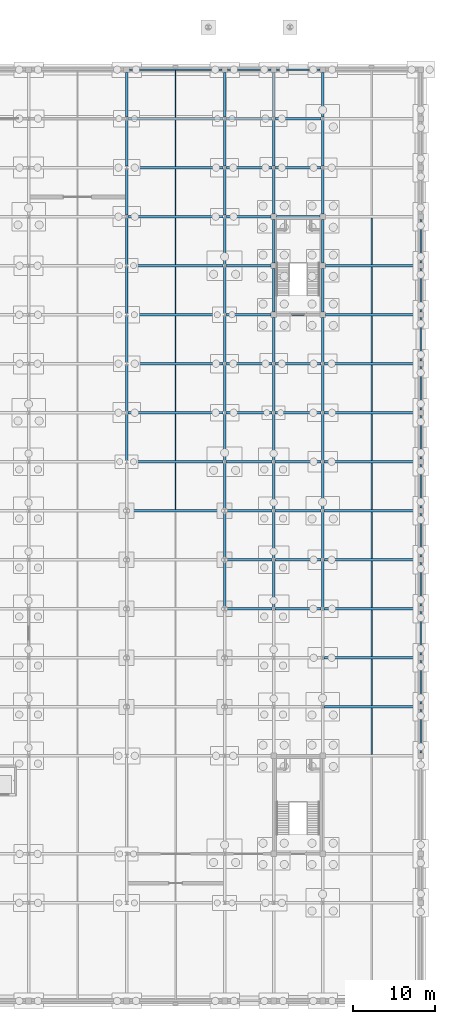
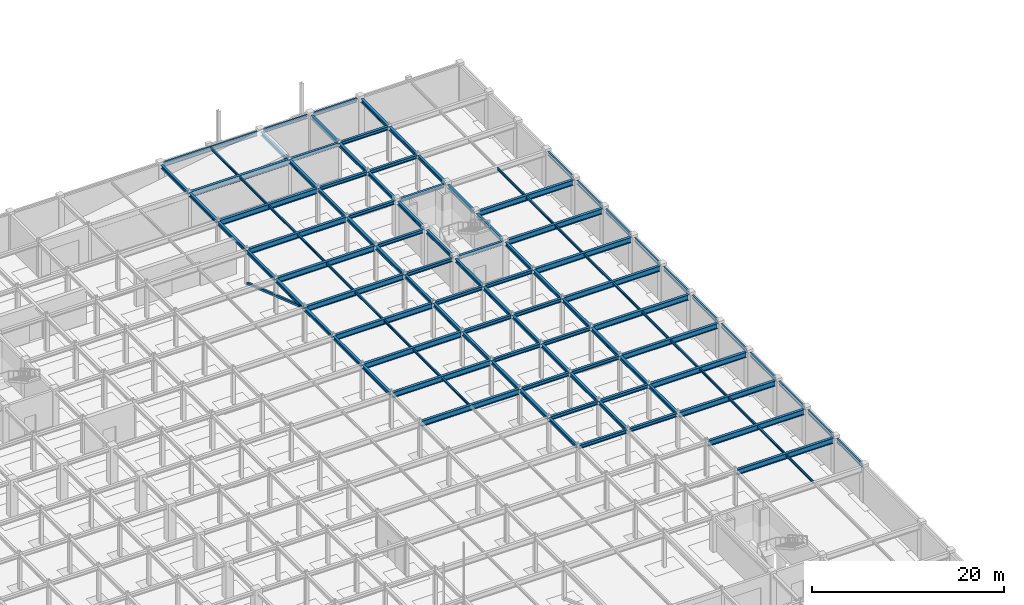
# One storey, part 41 of 69: 115 beams, 1 member.
"""IFC4 building model written with IfcOpenShell, lengths in metres."""

from ifc_helpers import new_model, si_unit, direction, frame, origin, origin_2d, place, context, subcontext, project, spatial, hollow_rectangle, i_section, extrude, material, material_profile, profile_set, type_object, element, save


model = new_model("IFC4")

# Units and contexts
model_context = context("Model", 3, precision=1e-05, world=origin(), true_north=direction((0.0, 1.0)))
body_context = subcontext(model_context, "Body", "Model", "MODEL_VIEW")
ifc_project = project(units=[si_unit("LENGTHUNIT", "METRE"), si_unit("AREAUNIT", "SQUARE_METRE"), si_unit("VOLUMEUNIT", "CUBIC_METRE"), si_unit("PLANEANGLEUNIT", "RADIAN"), si_unit("MASSUNIT", "GRAM", prefix="KILO")], contexts=[model_context])

# Site, building, storey
site_placement = place(None, origin())
site = spatial("IfcSite", under=ifc_project, at=site_placement, CompositionType="ELEMENT")
building_placement = place(site_placement, origin())
building = spatial("IfcBuilding", under=site, at=building_placement, Name="Zlatovratsky Civic Hall", CompositionType="ELEMENT")
storey_placement = place(building_placement, frame((0.0, 0.0, -4.800048828125)))
storey = spatial("IfcBuildingStorey", under=building, at=storey_placement, Name="B1", CompositionType="ELEMENT", Elevation=-4.800048828125)

# Beams
ifc_material = material(Name="Steel S355", Category="steel")
ifc_material_profile_1 = material_profile(ifc_material, i_section(OverallWidth=0.320068359375, OverallDepth=0.68310546875, WebThickness=0.012939453125, FlangeThickness=0.01904296875, FilletRadius=0.02587890625, at=origin_2d()), Name="70Sh1")
ifc_profile_set_1 = profile_set([ifc_material_profile_1], Name="Steel S355")
beam_type_1 = type_object("IfcBeamType", Name="Beam_HallGirder_70Sh1", PredefinedType="BEAM", material=ifc_profile_set_1)
for number, where, z_axis, x_axis, name in (
    (1, (156.175048828125, 36.0, 4.138427734375), (1.0, 0.0, 0.0), (0.0, 1.0, 0.0), "BM-0100"),
    (2, (156.175048828125, 42.0, 4.138427734375), (1.0, 0.0, 0.0), (0.0, 1.0, 0.0), "BM-0122"),
    (3, (156.175048828125, 48.0, 4.138427734375), (1.0, 0.0, 0.0), (0.0, 1.0, 0.0), "BM-0144"),
    (4, (156.175048828125, 54.0, 4.138427734375), (1.0, 0.0, 0.0), (0.0, 1.0, 0.0), "BM-0166"),
):
    element("IfcBeam", number, at=place(storey_placement, frame(where, z_axis=z_axis, x_axis=x_axis)), inside=storey, type_object=beam_type_1, Name=name, PredefinedType="BEAM", context=body_context, shape_type="SweptSolid", body=[
        extrude(i_section(OverallWidth=0.320068359375, OverallDepth=0.68310546875, WebThickness=0.012939453125, FlangeThickness=0.01904296875, FilletRadius=0.02587890625, at=origin_2d()), origin(), (0.0, 0.0, 1.0), 11.474853515625),
    ])
beam_1_placement = place(storey_placement, frame((132.175048828125, 60.0, 4.138427734375), z_axis=(1.0, 0.0, 0.0), x_axis=(0.0, 1.0, 0.0)))
element("IfcBeam", 5, at=beam_1_placement, inside=storey, type_object=beam_type_1, Name="BM-0185", PredefinedType="BEAM", context=body_context, shape_type="SweptSolid", body=[
    extrude(i_section(OverallWidth=0.320068359375, OverallDepth=0.68310546875, WebThickness=0.012939453125, FlangeThickness=0.01904296875, FilletRadius=0.02587890625, at=origin_2d()), origin(), (0.0, 0.0, 1.0), 11.64990234375),
])
beam_2_placement = place(storey_placement, frame((156.175048828125, 60.0, 4.138427734375), z_axis=(1.0, 0.0, 0.0), x_axis=(0.0, 1.0, 0.0)))
element("IfcBeam", 6, at=beam_2_placement, inside=storey, type_object=beam_type_1, Name="BM-0188", PredefinedType="BEAM", context=body_context, shape_type="SweptSolid", body=[
    extrude(i_section(OverallWidth=0.320068359375, OverallDepth=0.68310546875, WebThickness=0.012939453125, FlangeThickness=0.01904296875, FilletRadius=0.02587890625, at=origin_2d()), origin(), (0.0, 0.0, 1.0), 11.474853515625),
])
beam_3_placement = place(storey_placement, frame((132.175048828125, 66.0, 4.138427734375), z_axis=(1.0, 0.0, 0.0), x_axis=(0.0, 1.0, 0.0)))
element("IfcBeam", 7, at=beam_3_placement, inside=storey, type_object=beam_type_1, Name="BM-0207", PredefinedType="BEAM", context=body_context, shape_type="SweptSolid", body=[
    extrude(i_section(OverallWidth=0.320068359375, OverallDepth=0.68310546875, WebThickness=0.012939453125, FlangeThickness=0.01904296875, FilletRadius=0.02587890625, at=origin_2d()), origin(), (0.0, 0.0, 1.0), 11.64990234375),
])
beam_4_placement = place(storey_placement, frame((156.175048828125, 66.0, 4.138427734375), z_axis=(1.0, 0.0, 0.0), x_axis=(0.0, 1.0, 0.0)))
element("IfcBeam", 8, at=beam_4_placement, inside=storey, type_object=beam_type_1, Name="BM-0210", PredefinedType="BEAM", context=body_context, shape_type="SweptSolid", body=[
    extrude(i_section(OverallWidth=0.320068359375, OverallDepth=0.68310546875, WebThickness=0.012939453125, FlangeThickness=0.01904296875, FilletRadius=0.02587890625, at=origin_2d()), origin(), (0.0, 0.0, 1.0), 11.474853515625),
])
beam_5_placement = place(storey_placement, frame((132.175048828125, 72.0, 4.138427734375), z_axis=(1.0, 0.0, 0.0), x_axis=(0.0, 1.0, 0.0)))
element("IfcBeam", 9, at=beam_5_placement, inside=storey, type_object=beam_type_1, Name="BM-0229", PredefinedType="BEAM", context=body_context, shape_type="SweptSolid", body=[
    extrude(i_section(OverallWidth=0.320068359375, OverallDepth=0.68310546875, WebThickness=0.012939453125, FlangeThickness=0.01904296875, FilletRadius=0.02587890625, at=origin_2d()), origin(), (0.0, 0.0, 1.0), 11.64990234375),
])
beam_6_placement = place(storey_placement, frame((156.175048828125, 72.0, 4.138427734375), z_axis=(1.0, 0.0, 0.0), x_axis=(0.0, 1.0, 0.0)))
element("IfcBeam", 10, at=beam_6_placement, inside=storey, type_object=beam_type_1, Name="BM-0232", PredefinedType="BEAM", context=body_context, shape_type="SweptSolid", body=[
    extrude(i_section(OverallWidth=0.320068359375, OverallDepth=0.68310546875, WebThickness=0.012939453125, FlangeThickness=0.01904296875, FilletRadius=0.02587890625, at=origin_2d()), origin(), (0.0, 0.0, 1.0), 11.474853515625),
])
beam_7_placement = place(storey_placement, frame((132.175048828125, 78.0, 4.138427734375), z_axis=(1.0, 0.0, 0.0), x_axis=(0.0, 1.0, 0.0)))
element("IfcBeam", 11, at=beam_7_placement, inside=storey, type_object=beam_type_1, Name="BM-0251", PredefinedType="BEAM", context=body_context, shape_type="SweptSolid", body=[
    extrude(i_section(OverallWidth=0.320068359375, OverallDepth=0.68310546875, WebThickness=0.012939453125, FlangeThickness=0.01904296875, FilletRadius=0.02587890625, at=origin_2d()), origin(), (0.0, 0.0, 1.0), 11.64990234375),
])
beam_8_placement = place(storey_placement, frame((156.175048828125, 78.0, 4.138427734375), z_axis=(1.0, 0.0, 0.0), x_axis=(0.0, 1.0, 0.0)))
element("IfcBeam", 12, at=beam_8_placement, inside=storey, type_object=beam_type_1, Name="BM-0254", PredefinedType="BEAM", context=body_context, shape_type="SweptSolid", body=[
    extrude(i_section(OverallWidth=0.320068359375, OverallDepth=0.68310546875, WebThickness=0.012939453125, FlangeThickness=0.01904296875, FilletRadius=0.02587890625, at=origin_2d()), origin(), (0.0, 0.0, 1.0), 11.474853515625),
])
beam_9_placement = place(storey_placement, frame((132.175048828125, 84.0, 4.138427734375), z_axis=(1.0, 0.0, 0.0), x_axis=(0.0, 1.0, 0.0)))
element("IfcBeam", 13, at=beam_9_placement, inside=storey, type_object=beam_type_1, Name="BM-0273", PredefinedType="BEAM", context=body_context, shape_type="SweptSolid", body=[
    extrude(i_section(OverallWidth=0.320068359375, OverallDepth=0.68310546875, WebThickness=0.012939453125, FlangeThickness=0.01904296875, FilletRadius=0.02587890625, at=origin_2d()), origin(), (0.0, 0.0, 1.0), 11.64990234375),
])
beam_10_placement = place(storey_placement, frame((156.35009765625, 84.0, 4.138427734375), z_axis=(1.0, 0.0, 0.0), x_axis=(0.0, 1.0, 0.0)))
element("IfcBeam", 14, at=beam_10_placement, inside=storey, type_object=beam_type_1, Name="BM-0276", PredefinedType="BEAM", context=body_context, shape_type="SweptSolid", body=[
    extrude(i_section(OverallWidth=0.320068359375, OverallDepth=0.68310546875, WebThickness=0.012939453125, FlangeThickness=0.01904296875, FilletRadius=0.02587890625, at=origin_2d()), origin(), (0.0, 0.0, 1.0), 11.2998046875),
])
beam_11_placement = place(storey_placement, frame((132.175048828125, 90.0, 4.138427734375), z_axis=(1.0, 0.0, 0.0), x_axis=(0.0, 1.0, 0.0)))
element("IfcBeam", 15, at=beam_11_placement, inside=storey, type_object=beam_type_1, Name="BM-0292", PredefinedType="BEAM", context=body_context, shape_type="SweptSolid", body=[
    extrude(i_section(OverallWidth=0.320068359375, OverallDepth=0.68310546875, WebThickness=0.012939453125, FlangeThickness=0.01904296875, FilletRadius=0.02587890625, at=origin_2d()), origin(), (0.0, 0.0, 1.0), 11.64990234375),
])
beam_12_placement = place(storey_placement, frame((156.35009765625, 90.0, 4.138427734375), z_axis=(1.0, 0.0, 0.0), x_axis=(0.0, 1.0, 0.0)))
element("IfcBeam", 16, at=beam_12_placement, inside=storey, type_object=beam_type_1, Name="BM-0294", PredefinedType="BEAM", context=body_context, shape_type="SweptSolid", body=[
    extrude(i_section(OverallWidth=0.320068359375, OverallDepth=0.68310546875, WebThickness=0.012939453125, FlangeThickness=0.01904296875, FilletRadius=0.02587890625, at=origin_2d()), origin(), (0.0, 0.0, 1.0), 11.2998046875),
])
for number, where, z_axis, x_axis, name in (
    (17, (132.175048828125, 96.0, 4.138427734375), (1.0, 0.0, 0.0), (0.0, 1.0, 0.0), "BM-0313"),
    (18, (132.175048828125, 102.0, 4.138427734375), (1.0, 0.0, 0.0), (0.0, 1.0, 0.0), "BM-0335"),
    (19, (132.175048828125, 108.0, 4.138427734375), (1.0, 0.0, 0.0), (0.0, 1.0, 0.0), "BM-0357"),
):
    element("IfcBeam", number, at=place(storey_placement, frame(where, z_axis=z_axis, x_axis=x_axis)), inside=storey, type_object=beam_type_1, Name=name, PredefinedType="BEAM", context=body_context, shape_type="SweptSolid", body=[
        extrude(i_section(OverallWidth=0.320068359375, OverallDepth=0.68310546875, WebThickness=0.012939453125, FlangeThickness=0.01904296875, FilletRadius=0.02587890625, at=origin_2d()), origin(), (0.0, 0.0, 1.0), 11.64990234375),
    ])
ifc_material_profile_2 = material_profile(ifc_material, i_section(OverallWidth=0.198974609375, OverallDepth=0.491943359375, WebThickness=0.0087890625, FlangeThickness=0.011962890625, FilletRadius=0.01611328125, at=origin_2d()), Name="50B1")
ifc_profile_set_2 = profile_set([ifc_material_profile_2], Name="Steel S355")
beam_type_2 = type_object("IfcBeamType", Name="Beam_Spandrel_50B1", PredefinedType="SPANDREL", material=ifc_profile_set_2)
for number, where, z_axis, x_axis, name in (
    (20, (144.35009765625, 114.0, 4.234130859375), (1.0, 0.0, 0.0), (0.0, 1.0, 0.0), "BM-0380"),
    (21, (150.35009765625, 114.0, 4.234130859375), (1.0, 0.0, 0.0), (0.0, 1.0, 0.0), "BM-0381"),
    (22, (168.0, 30.35009765625, 4.234130859375), (0.0, 1.0, 0.0), (-1.0, 0.0, 0.0), "BM-0751"),
    (23, (168.0, 36.35009765625, 4.234130859375), (0.0, 1.0, 0.0), (-1.0, 0.0, 0.0), "BM-0752"),
    (24, (168.0, 42.35009765625, 4.234130859375), (0.0, 1.0, 0.0), (-1.0, 0.0, 0.0), "BM-0753"),
    (25, (168.0, 48.35009765625, 4.234130859375), (0.0, 1.0, 0.0), (-1.0, 0.0, 0.0), "BM-0754"),
    (26, (168.0, 54.35009765625, 4.234130859375), (0.0, 1.0, 0.0), (-1.0, 0.0, 0.0), "BM-0755"),
    (27, (168.0, 60.35009765625, 4.234130859375), (0.0, 1.0, 0.0), (-1.0, 0.0, 0.0), "BM-0756"),
    (28, (168.0, 66.35009765625, 4.234130859375), (0.0, 1.0, 0.0), (-1.0, 0.0, 0.0), "BM-0757"),
    (29, (168.0, 72.35009765625, 4.234130859375), (0.0, 1.0, 0.0), (-1.0, 0.0, 0.0), "BM-0758"),
    (30, (168.0, 78.35009765625, 4.234130859375), (0.0, 1.0, 0.0), (-1.0, 0.0, 0.0), "BM-0759"),
    (31, (168.0, 84.35009765625, 4.234130859375), (0.0, 1.0, 0.0), (-1.0, 0.0, 0.0), "BM-0760"),
    (32, (168.0, 90.35009765625, 4.234130859375), (0.0, 1.0, 0.0), (-1.0, 0.0, 0.0), "BM-0761"),
):
    element("IfcBeam", number, at=place(storey_placement, frame(where, z_axis=z_axis, x_axis=x_axis)), inside=storey, type_object=beam_type_2, Name=name, PredefinedType="SPANDREL", context=body_context, shape_type="SweptSolid", body=[
        extrude(i_section(OverallWidth=0.198974609375, OverallDepth=0.491943359375, WebThickness=0.0087890625, FlangeThickness=0.011962890625, FilletRadius=0.01611328125, at=origin_2d()), origin(), (0.0, 0.0, 1.0), 5.2998046875),
    ])
ifc_material_profile_3 = material_profile(ifc_material, i_section(OverallWidth=0.198974609375, OverallDepth=0.593017578125, WebThickness=0.010498046875, FlangeThickness=0.014892578125, FilletRadius=0.01806640625, at=origin_2d()), Name="60B1")
ifc_profile_set_3 = profile_set([ifc_material_profile_3], Name="Steel S355")
beam_type_3 = type_object("IfcBeamType", Name="Beam_Spandrel_60B1", PredefinedType="SPANDREL", material=ifc_profile_set_3)
beam_13_placement = place(storey_placement, frame((132.35009765625, 114.0, 4.18359375), z_axis=(1.0, 0.0, 0.0), x_axis=(0.0, 1.0, 0.0)))
element("IfcBeam", 33, at=beam_13_placement, inside=storey, type_object=beam_type_3, Name="BM-0379", PredefinedType="SPANDREL", context=body_context, shape_type="SweptSolid", body=[
    extrude(i_section(OverallWidth=0.198974609375, OverallDepth=0.593017578125, WebThickness=0.010498046875, FlangeThickness=0.014892578125, FilletRadius=0.01806640625, at=origin_2d()), origin(), (0.0, 0.0, 1.0), 11.2998046875),
])
ifc_material_profile_4 = material_profile(ifc_material, i_section(OverallWidth=0.300048828125, OverallDepth=0.43994140625, WebThickness=0.010986328125, FlangeThickness=0.01806640625, FilletRadius=0.02197265625, at=origin_2d()), Name="45Sh1")
ifc_profile_set_4 = profile_set([ifc_material_profile_4], Name="Steel S355")
beam_type_4 = type_object("IfcBeamType", Name="Beam_TowerLow_45Sh1", PredefinedType="BEAM", material=ifc_profile_set_4)
for number, where, z_axis, x_axis, name in (
    (34, (144.175048828125, 48.0, 4.260009765625), (1.0, 0.0, 0.0), (0.0, 1.0, 0.0), "BM-0142"),
    (35, (150.175048828125, 48.0, 4.260009765625), (1.0, 0.0, 0.0), (0.0, 1.0, 0.0), "BM-0143"),
    (36, (144.175048828125, 54.0, 4.260009765625), (1.0, 0.0, 0.0), (0.0, 1.0, 0.0), "BM-0164"),
    (37, (150.175048828125, 54.0, 4.260009765625), (1.0, 0.0, 0.0), (0.0, 1.0, 0.0), "BM-0165"),
    (38, (144.175048828125, 60.0, 4.260009765625), (1.0, 0.0, 0.0), (0.0, 1.0, 0.0), "BM-0186"),
    (39, (150.175048828125, 60.0, 4.260009765625), (1.0, 0.0, 0.0), (0.0, 1.0, 0.0), "BM-0187"),
    (40, (144.175048828125, 66.0, 4.260009765625), (1.0, 0.0, 0.0), (0.0, 1.0, 0.0), "BM-0208"),
    (41, (150.175048828125, 66.0, 4.260009765625), (1.0, 0.0, 0.0), (0.0, 1.0, 0.0), "BM-0209"),
    (42, (144.175048828125, 72.0, 4.260009765625), (1.0, 0.0, 0.0), (0.0, 1.0, 0.0), "BM-0230"),
    (43, (150.175048828125, 72.0, 4.260009765625), (1.0, 0.0, 0.0), (0.0, 1.0, 0.0), "BM-0231"),
    (44, (144.175048828125, 78.0, 4.260009765625), (1.0, 0.0, 0.0), (0.0, 1.0, 0.0), "BM-0252"),
    (45, (150.175048828125, 78.0, 4.260009765625), (1.0, 0.0, 0.0), (0.0, 1.0, 0.0), "BM-0253"),
):
    element("IfcBeam", number, at=place(storey_placement, frame(where, z_axis=z_axis, x_axis=x_axis)), inside=storey, type_object=beam_type_4, Name=name, PredefinedType="BEAM", context=body_context, shape_type="SweptSolid", body=[
        extrude(i_section(OverallWidth=0.300048828125, OverallDepth=0.43994140625, WebThickness=0.010986328125, FlangeThickness=0.01806640625, FilletRadius=0.02197265625, at=origin_2d()), origin(), (0.0, 0.0, 1.0), 5.64990234375),
    ])
beam_14_placement = place(storey_placement, frame((144.175048828125, 84.0, 4.260009765625), z_axis=(1.0, 0.0, 0.0), x_axis=(0.0, 1.0, 0.0)))
element("IfcBeam", 46, at=beam_14_placement, inside=storey, type_object=beam_type_4, Name="BM-0274", PredefinedType="BEAM", context=body_context, shape_type="SweptSolid", body=[
    extrude(i_section(OverallWidth=0.300048828125, OverallDepth=0.43994140625, WebThickness=0.010986328125, FlangeThickness=0.01806640625, FilletRadius=0.02197265625, at=origin_2d()), origin(), (0.0, 0.0, 1.0), 5.474853515625),
])
beam_15_placement = place(storey_placement, frame((150.35009765625, 84.0, 4.260009765625), z_axis=(1.0, 0.0, 0.0), x_axis=(0.0, 1.0, 0.0)))
element("IfcBeam", 47, at=beam_15_placement, inside=storey, type_object=beam_type_4, Name="BM-0275", PredefinedType="BEAM", context=body_context, shape_type="SweptSolid", body=[
    extrude(i_section(OverallWidth=0.300048828125, OverallDepth=0.43994140625, WebThickness=0.010986328125, FlangeThickness=0.01806640625, FilletRadius=0.02197265625, at=origin_2d()), origin(), (0.0, 0.0, 1.0), 5.2998046875),
])
for number, where, z_axis, x_axis, name in (
    (48, (144.175048828125, 90.0, 4.260009765625), (1.0, 0.0, 0.0), (0.0, 1.0, 0.0), "BM-0293"),
    (49, (144.175048828125, 96.0, 4.260009765625), (1.0, 0.0, 0.0), (0.0, 1.0, 0.0), "BM-0314"),
):
    element("IfcBeam", number, at=place(storey_placement, frame(where, z_axis=z_axis, x_axis=x_axis)), inside=storey, type_object=beam_type_4, Name=name, PredefinedType="BEAM", context=body_context, shape_type="SweptSolid", body=[
        extrude(i_section(OverallWidth=0.300048828125, OverallDepth=0.43994140625, WebThickness=0.010986328125, FlangeThickness=0.01806640625, FilletRadius=0.02197265625, at=origin_2d()), origin(), (0.0, 0.0, 1.0), 5.474853515625),
    ])
beam_16_placement = place(storey_placement, frame((150.35009765625, 96.0, 4.260009765625), z_axis=(1.0, 0.0, 0.0), x_axis=(0.0, 1.0, 0.0)))
element("IfcBeam", 50, at=beam_16_placement, inside=storey, type_object=beam_type_4, Name="BM-0315", PredefinedType="BEAM", context=body_context, shape_type="SweptSolid", body=[
    extrude(i_section(OverallWidth=0.300048828125, OverallDepth=0.43994140625, WebThickness=0.010986328125, FlangeThickness=0.01806640625, FilletRadius=0.02197265625, at=origin_2d()), origin(), (0.0, 0.0, 1.0), 5.2998046875),
])
for number, where, z_axis, x_axis, name in (
    (51, (144.175048828125, 102.0, 4.260009765625), (1.0, 0.0, 0.0), (0.0, 1.0, 0.0), "BM-0336"),
    (52, (150.175048828125, 102.0, 4.260009765625), (1.0, 0.0, 0.0), (0.0, 1.0, 0.0), "BM-0337"),
    (53, (144.175048828125, 108.0, 4.260009765625), (1.0, 0.0, 0.0), (0.0, 1.0, 0.0), "BM-0358"),
    (54, (150.175048828125, 108.0, 4.260009765625), (1.0, 0.0, 0.0), (0.0, 1.0, 0.0), "BM-0359"),
    (55, (132.0, 66.175048828125, 4.260009765625), (0.0, 1.0, 0.0), (-1.0, 0.0, 0.0), "BM-0689"),
    (56, (132.0, 72.175048828125, 4.260009765625), (0.0, 1.0, 0.0), (-1.0, 0.0, 0.0), "BM-0690"),
    (57, (132.0, 78.175048828125, 4.260009765625), (0.0, 1.0, 0.0), (-1.0, 0.0, 0.0), "BM-0691"),
    (58, (132.0, 84.175048828125, 4.260009765625), (0.0, 1.0, 0.0), (-1.0, 0.0, 0.0), "BM-0692"),
    (59, (132.0, 90.175048828125, 4.260009765625), (0.0, 1.0, 0.0), (-1.0, 0.0, 0.0), "BM-0693"),
    (60, (132.0, 96.175048828125, 4.260009765625), (0.0, 1.0, 0.0), (-1.0, 0.0, 0.0), "BM-0694"),
    (61, (132.0, 102.175048828125, 4.260009765625), (0.0, 1.0, 0.0), (-1.0, 0.0, 0.0), "BM-0695"),
):
    element("IfcBeam", number, at=place(storey_placement, frame(where, z_axis=z_axis, x_axis=x_axis)), inside=storey, type_object=beam_type_4, Name=name, PredefinedType="BEAM", context=body_context, shape_type="SweptSolid", body=[
        extrude(i_section(OverallWidth=0.300048828125, OverallDepth=0.43994140625, WebThickness=0.010986328125, FlangeThickness=0.01806640625, FilletRadius=0.02197265625, at=origin_2d()), origin(), (0.0, 0.0, 1.0), 5.64990234375),
    ])
beam_17_placement = place(storey_placement, frame((132.0, 108.175048828125, 4.260009765625), z_axis=(0.0, 1.0, 0.0), x_axis=(-1.0, 0.0, 0.0)))
element("IfcBeam", 62, at=beam_17_placement, inside=storey, type_object=beam_type_4, Name="BM-0696", PredefinedType="BEAM", context=body_context, shape_type="SweptSolid", body=[
    extrude(i_section(OverallWidth=0.300048828125, OverallDepth=0.43994140625, WebThickness=0.010986328125, FlangeThickness=0.01806640625, FilletRadius=0.02197265625, at=origin_2d()), origin(), (0.0, 0.0, 1.0), 5.474853515625),
])
for number, where, z_axis, x_axis, name in (
    (63, (144.0, 48.175048828125, 4.260009765625), (0.0, 1.0, 0.0), (-1.0, 0.0, 0.0), "BM-0703"),
    (64, (144.0, 54.175048828125, 4.260009765625), (0.0, 1.0, 0.0), (-1.0, 0.0, 0.0), "BM-0704"),
    (65, (144.0, 60.175048828125, 4.260009765625), (0.0, 1.0, 0.0), (-1.0, 0.0, 0.0), "BM-0705"),
    (66, (144.0, 66.175048828125, 4.260009765625), (0.0, 1.0, 0.0), (-1.0, 0.0, 0.0), "BM-0706"),
    (67, (144.0, 72.175048828125, 4.260009765625), (0.0, 1.0, 0.0), (-1.0, 0.0, 0.0), "BM-0707"),
    (68, (144.0, 78.175048828125, 4.260009765625), (0.0, 1.0, 0.0), (-1.0, 0.0, 0.0), "BM-0708"),
    (69, (144.0, 84.175048828125, 4.260009765625), (0.0, 1.0, 0.0), (-1.0, 0.0, 0.0), "BM-0709"),
    (70, (144.0, 90.175048828125, 4.260009765625), (0.0, 1.0, 0.0), (-1.0, 0.0, 0.0), "BM-0710"),
    (71, (144.0, 96.175048828125, 4.260009765625), (0.0, 1.0, 0.0), (-1.0, 0.0, 0.0), "BM-0711"),
    (72, (144.0, 102.175048828125, 4.260009765625), (0.0, 1.0, 0.0), (-1.0, 0.0, 0.0), "BM-0712"),
):
    element("IfcBeam", number, at=place(storey_placement, frame(where, z_axis=z_axis, x_axis=x_axis)), inside=storey, type_object=beam_type_4, Name=name, PredefinedType="BEAM", context=body_context, shape_type="SweptSolid", body=[
        extrude(i_section(OverallWidth=0.300048828125, OverallDepth=0.43994140625, WebThickness=0.010986328125, FlangeThickness=0.01806640625, FilletRadius=0.02197265625, at=origin_2d()), origin(), (0.0, 0.0, 1.0), 5.64990234375),
    ])
beam_18_placement = place(storey_placement, frame((144.0, 108.175048828125, 4.260009765625), z_axis=(0.0, 1.0, 0.0), x_axis=(-1.0, 0.0, 0.0)))
element("IfcBeam", 73, at=beam_18_placement, inside=storey, type_object=beam_type_4, Name="BM-0713", PredefinedType="BEAM", context=body_context, shape_type="SweptSolid", body=[
    extrude(i_section(OverallWidth=0.300048828125, OverallDepth=0.43994140625, WebThickness=0.010986328125, FlangeThickness=0.01806640625, FilletRadius=0.02197265625, at=origin_2d()), origin(), (0.0, 0.0, 1.0), 5.474853515625),
])
for number, where, z_axis, x_axis, name in (
    (74, (150.0, 48.175048828125, 4.260009765625), (0.0, 1.0, 0.0), (-1.0, 0.0, 0.0), "BM-0720"),
    (75, (150.0, 54.175048828125, 4.260009765625), (0.0, 1.0, 0.0), (-1.0, 0.0, 0.0), "BM-0721"),
    (76, (150.0, 60.175048828125, 4.260009765625), (0.0, 1.0, 0.0), (-1.0, 0.0, 0.0), "BM-0722"),
    (77, (150.0, 66.175048828125, 4.260009765625), (0.0, 1.0, 0.0), (-1.0, 0.0, 0.0), "BM-0723"),
    (78, (150.0, 72.175048828125, 4.260009765625), (0.0, 1.0, 0.0), (-1.0, 0.0, 0.0), "BM-0724"),
):
    element("IfcBeam", number, at=place(storey_placement, frame(where, z_axis=z_axis, x_axis=x_axis)), inside=storey, type_object=beam_type_4, Name=name, PredefinedType="BEAM", context=body_context, shape_type="SweptSolid", body=[
        extrude(i_section(OverallWidth=0.300048828125, OverallDepth=0.43994140625, WebThickness=0.010986328125, FlangeThickness=0.01806640625, FilletRadius=0.02197265625, at=origin_2d()), origin(), (0.0, 0.0, 1.0), 5.64990234375),
    ])
beam_19_placement = place(storey_placement, frame((150.0, 78.175048828125, 4.260009765625), z_axis=(0.0, 1.0, 0.0), x_axis=(-1.0, 0.0, 0.0)))
element("IfcBeam", 79, at=beam_19_placement, inside=storey, type_object=beam_type_4, Name="BM-0725", PredefinedType="BEAM", context=body_context, shape_type="SweptSolid", body=[
    extrude(i_section(OverallWidth=0.300048828125, OverallDepth=0.43994140625, WebThickness=0.010986328125, FlangeThickness=0.01806640625, FilletRadius=0.02197265625, at=origin_2d()), origin(), (0.0, 0.0, 1.0), 5.474853515625),
])
for number, where, z_axis, x_axis, name in (
    (80, (150.0, 84.35009765625, 4.260009765625), (0.0, 1.0, 0.0), (-1.0, 0.0, 0.0), "BM-0726"),
    (81, (150.0, 90.35009765625, 4.260009765625), (0.0, 1.0, 0.0), (-1.0, 0.0, 0.0), "BM-0727"),
):
    element("IfcBeam", number, at=place(storey_placement, frame(where, z_axis=z_axis, x_axis=x_axis)), inside=storey, type_object=beam_type_4, Name=name, PredefinedType="BEAM", context=body_context, shape_type="SweptSolid", body=[
        extrude(i_section(OverallWidth=0.300048828125, OverallDepth=0.43994140625, WebThickness=0.010986328125, FlangeThickness=0.01806640625, FilletRadius=0.02197265625, at=origin_2d()), origin(), (0.0, 0.0, 1.0), 5.2998046875),
    ])
beam_20_placement = place(storey_placement, frame((150.0, 96.35009765625, 4.260009765625), z_axis=(0.0, 1.0, 0.0), x_axis=(-1.0, 0.0, 0.0)))
element("IfcBeam", 82, at=beam_20_placement, inside=storey, type_object=beam_type_4, Name="BM-0728", PredefinedType="BEAM", context=body_context, shape_type="SweptSolid", body=[
    extrude(i_section(OverallWidth=0.300048828125, OverallDepth=0.43994140625, WebThickness=0.010986328125, FlangeThickness=0.01806640625, FilletRadius=0.02197265625, at=origin_2d()), origin(), (0.0, 0.0, 1.0), 5.474853515625),
])
beam_21_placement = place(storey_placement, frame((150.0, 102.175048828125, 4.260009765625), z_axis=(0.0, 1.0, 0.0), x_axis=(-1.0, 0.0, 0.0)))
element("IfcBeam", 83, at=beam_21_placement, inside=storey, type_object=beam_type_4, Name="BM-0729", PredefinedType="BEAM", context=body_context, shape_type="SweptSolid", body=[
    extrude(i_section(OverallWidth=0.300048828125, OverallDepth=0.43994140625, WebThickness=0.010986328125, FlangeThickness=0.01806640625, FilletRadius=0.02197265625, at=origin_2d()), origin(), (0.0, 0.0, 1.0), 5.64990234375),
])
beam_22_placement = place(storey_placement, frame((150.0, 108.175048828125, 4.260009765625), z_axis=(0.0, 1.0, 0.0), x_axis=(-1.0, 0.0, 0.0)))
element("IfcBeam", 84, at=beam_22_placement, inside=storey, type_object=beam_type_4, Name="BM-0730", PredefinedType="BEAM", context=body_context, shape_type="SweptSolid", body=[
    extrude(i_section(OverallWidth=0.300048828125, OverallDepth=0.43994140625, WebThickness=0.010986328125, FlangeThickness=0.01806640625, FilletRadius=0.02197265625, at=origin_2d()), origin(), (0.0, 0.0, 1.0), 5.474853515625),
])
for number, where, z_axis, x_axis, name in (
    (85, (156.0, 48.175048828125, 4.260009765625), (0.0, 1.0, 0.0), (-1.0, 0.0, 0.0), "BM-0737"),
    (86, (156.0, 54.175048828125, 4.260009765625), (0.0, 1.0, 0.0), (-1.0, 0.0, 0.0), "BM-0738"),
    (87, (156.0, 60.175048828125, 4.260009765625), (0.0, 1.0, 0.0), (-1.0, 0.0, 0.0), "BM-0739"),
    (88, (156.0, 66.175048828125, 4.260009765625), (0.0, 1.0, 0.0), (-1.0, 0.0, 0.0), "BM-0740"),
    (89, (156.0, 72.175048828125, 4.260009765625), (0.0, 1.0, 0.0), (-1.0, 0.0, 0.0), "BM-0741"),
):
    element("IfcBeam", number, at=place(storey_placement, frame(where, z_axis=z_axis, x_axis=x_axis)), inside=storey, type_object=beam_type_4, Name=name, PredefinedType="BEAM", context=body_context, shape_type="SweptSolid", body=[
        extrude(i_section(OverallWidth=0.300048828125, OverallDepth=0.43994140625, WebThickness=0.010986328125, FlangeThickness=0.01806640625, FilletRadius=0.02197265625, at=origin_2d()), origin(), (0.0, 0.0, 1.0), 5.64990234375),
    ])
beam_23_placement = place(storey_placement, frame((156.0, 78.175048828125, 4.260009765625), z_axis=(0.0, 1.0, 0.0), x_axis=(-1.0, 0.0, 0.0)))
element("IfcBeam", 90, at=beam_23_placement, inside=storey, type_object=beam_type_4, Name="BM-0742", PredefinedType="BEAM", context=body_context, shape_type="SweptSolid", body=[
    extrude(i_section(OverallWidth=0.300048828125, OverallDepth=0.43994140625, WebThickness=0.010986328125, FlangeThickness=0.01806640625, FilletRadius=0.02197265625, at=origin_2d()), origin(), (0.0, 0.0, 1.0), 5.474853515625),
])
for number, where, z_axis, x_axis, name in (
    (91, (156.0, 84.35009765625, 4.260009765625), (0.0, 1.0, 0.0), (-1.0, 0.0, 0.0), "BM-0743"),
    (92, (156.0, 90.35009765625, 4.260009765625), (0.0, 1.0, 0.0), (-1.0, 0.0, 0.0), "BM-0744"),
):
    element("IfcBeam", number, at=place(storey_placement, frame(where, z_axis=z_axis, x_axis=x_axis)), inside=storey, type_object=beam_type_4, Name=name, PredefinedType="BEAM", context=body_context, shape_type="SweptSolid", body=[
        extrude(i_section(OverallWidth=0.300048828125, OverallDepth=0.43994140625, WebThickness=0.010986328125, FlangeThickness=0.01806640625, FilletRadius=0.02197265625, at=origin_2d()), origin(), (0.0, 0.0, 1.0), 5.2998046875),
    ])
beam_24_placement = place(storey_placement, frame((156.0, 96.35009765625, 4.260009765625), z_axis=(0.0, 1.0, 0.0), x_axis=(-1.0, 0.0, 0.0)))
element("IfcBeam", 93, at=beam_24_placement, inside=storey, type_object=beam_type_4, Name="BM-0745", PredefinedType="BEAM", context=body_context, shape_type="SweptSolid", body=[
    extrude(i_section(OverallWidth=0.300048828125, OverallDepth=0.43994140625, WebThickness=0.010986328125, FlangeThickness=0.01806640625, FilletRadius=0.02197265625, at=origin_2d()), origin(), (0.0, 0.0, 1.0), 5.474853515625),
])
beam_25_placement = place(storey_placement, frame((156.0, 102.175048828125, 4.260009765625), z_axis=(0.0, 1.0, 0.0), x_axis=(-1.0, 0.0, 0.0)))
element("IfcBeam", 94, at=beam_25_placement, inside=storey, type_object=beam_type_4, Name="BM-0746", PredefinedType="BEAM", context=body_context, shape_type="SweptSolid", body=[
    extrude(i_section(OverallWidth=0.300048828125, OverallDepth=0.43994140625, WebThickness=0.010986328125, FlangeThickness=0.01806640625, FilletRadius=0.02197265625, at=origin_2d()), origin(), (0.0, 0.0, 1.0), 5.64990234375),
])
beam_26_placement = place(storey_placement, frame((156.0, 108.175048828125, 4.260009765625), z_axis=(0.0, 1.0, 0.0), x_axis=(-1.0, 0.0, 0.0)))
element("IfcBeam", 95, at=beam_26_placement, inside=storey, type_object=beam_type_4, Name="BM-0747", PredefinedType="BEAM", context=body_context, shape_type="SweptSolid", body=[
    extrude(i_section(OverallWidth=0.300048828125, OverallDepth=0.43994140625, WebThickness=0.010986328125, FlangeThickness=0.01806640625, FilletRadius=0.02197265625, at=origin_2d()), origin(), (0.0, 0.0, 1.0), 5.474853515625),
])

# Member
ifc_material_profile_5 = material_profile(ifc_material, hollow_rectangle(XDim=0.25, YDim=0.25, WallThickness=0.011962890625, at=origin_2d()), Name="SHS 250x250x12")
ifc_profile_set_5 = profile_set([ifc_material_profile_5], Name="Steel S355")
member_type = type_object("IfcMemberType", Name="Brace_Substructure_SHS250", PredefinedType="BRACE", material=ifc_profile_set_5)
member_placement = place(storey_placement, frame((132.0, 84.175048828125, 4.25), z_axis=(0.0, 0.945802693251, -0.324741844298), x_axis=(-1.0, 0.0, 0.0)))
element("IfcMember", 96, at=member_placement, inside=storey, type_object=member_type, Name="MB-0091", PredefinedType="BRACE", context=body_context, shape_type="SweptSolid", body=[
    extrude(hollow_rectangle(XDim=0.25, YDim=0.25, WallThickness=0.011962890625, at=origin_2d()), origin(), (0.0, 0.0, 1.0), 12.3173828125),
])

# Beams
ifc_material_profile_6 = material_profile(ifc_material, i_section(OverallWidth=0.14990234375, OverallDepth=0.300048828125, WebThickness=0.006591796875, FlangeThickness=0.009033203125, FilletRadius=0.012939453125, at=origin_2d()), Name="30B2")
ifc_profile_set_6 = profile_set([ifc_material_profile_6], Name="Steel S355")
beam_type_5 = type_object("IfcBeamType", Name="Joist_Podium_30B2", PredefinedType="JOIST", material=ifc_profile_set_6)
for number, where, z_axis, x_axis, name in (
    (97, (162.0, 30.159912109375, 4.330078125), (0.0, 1.0, 0.0), (-1.0, 0.0, 0.0), "BM-0788"),
    (98, (162.0, 36.159912109375, 4.330078125), (0.0, 1.0, 0.0), (-1.0, 0.0, 0.0), "BM-0794"),
    (99, (162.0, 42.159912109375, 4.330078125), (0.0, 1.0, 0.0), (-1.0, 0.0, 0.0), "BM-0800"),
    (100, (162.0, 48.159912109375, 4.330078125), (0.0, 1.0, 0.0), (-1.0, 0.0, 0.0), "BM-0806"),
    (101, (162.0, 54.159912109375, 4.330078125), (0.0, 1.0, 0.0), (-1.0, 0.0, 0.0), "BM-0812"),
    (102, (138.0, 60.159912109375, 4.330078125), (0.0, 1.0, 0.0), (-1.0, 0.0, 0.0), "BM-0817"),
    (103, (162.0, 60.159912109375, 4.330078125), (0.0, 1.0, 0.0), (-1.0, 0.0, 0.0), "BM-0818"),
    (104, (138.0, 66.159912109375, 4.330078125), (0.0, 1.0, 0.0), (-1.0, 0.0, 0.0), "BM-0823"),
    (105, (162.0, 66.159912109375, 4.330078125), (0.0, 1.0, 0.0), (-1.0, 0.0, 0.0), "BM-0824"),
    (106, (138.0, 72.159912109375, 4.330078125), (0.0, 1.0, 0.0), (-1.0, 0.0, 0.0), "BM-0829"),
    (107, (162.0, 72.159912109375, 4.330078125), (0.0, 1.0, 0.0), (-1.0, 0.0, 0.0), "BM-0830"),
    (108, (138.0, 78.159912109375, 4.330078125), (0.0, 1.0, 0.0), (-1.0, 0.0, 0.0), "BM-0835"),
    (109, (162.0, 78.159912109375, 4.330078125), (0.0, 1.0, 0.0), (-1.0, 0.0, 0.0), "BM-0836"),
    (110, (138.0, 84.159912109375, 4.330078125), (0.0, 1.0, 0.0), (-1.0, 0.0, 0.0), "BM-0841"),
    (111, (162.0, 84.159912109375, 4.330078125), (0.0, 1.0, 0.0), (-1.0, 0.0, 0.0), "BM-0842"),
    (112, (138.0, 90.159912109375, 4.330078125), (0.0, 1.0, 0.0), (-1.0, 0.0, 0.0), "BM-0849"),
    (113, (162.0, 90.159912109375, 4.330078125), (0.0, 1.0, 0.0), (-1.0, 0.0, 0.0), "BM-0850"),
    (114, (138.0, 96.159912109375, 4.330078125), (0.0, 1.0, 0.0), (-1.0, 0.0, 0.0), "BM-0855"),
    (115, (138.0, 102.159912109375, 4.330078125), (0.0, 1.0, 0.0), (-1.0, 0.0, 0.0), "BM-0861"),
):
    element("IfcBeam", number, at=place(storey_placement, frame(where, z_axis=z_axis, x_axis=x_axis)), inside=storey, type_object=beam_type_5, Name=name, PredefinedType="JOIST", context=body_context, shape_type="SweptSolid", body=[
        extrude(i_section(OverallWidth=0.14990234375, OverallDepth=0.300048828125, WebThickness=0.006591796875, FlangeThickness=0.009033203125, FilletRadius=0.012939453125, at=origin_2d()), origin(), (0.0, 0.0, 1.0), 5.68017578125),
    ])
beam_27_placement = place(storey_placement, frame((138.0, 108.159912109375, 4.330078125), z_axis=(0.0, 1.0, 0.0), x_axis=(-1.0, 0.0, 0.0)))
element("IfcBeam", 116, at=beam_27_placement, inside=storey, type_object=beam_type_5, Name="BM-0867", PredefinedType="JOIST", context=body_context, shape_type="SweptSolid", body=[
    extrude(i_section(OverallWidth=0.14990234375, OverallDepth=0.300048828125, WebThickness=0.006591796875, FlangeThickness=0.009033203125, FilletRadius=0.012939453125, at=origin_2d()), origin(), (0.0, 0.0, 1.0), 5.740478515625),
])

save(model, "model.ifc")
